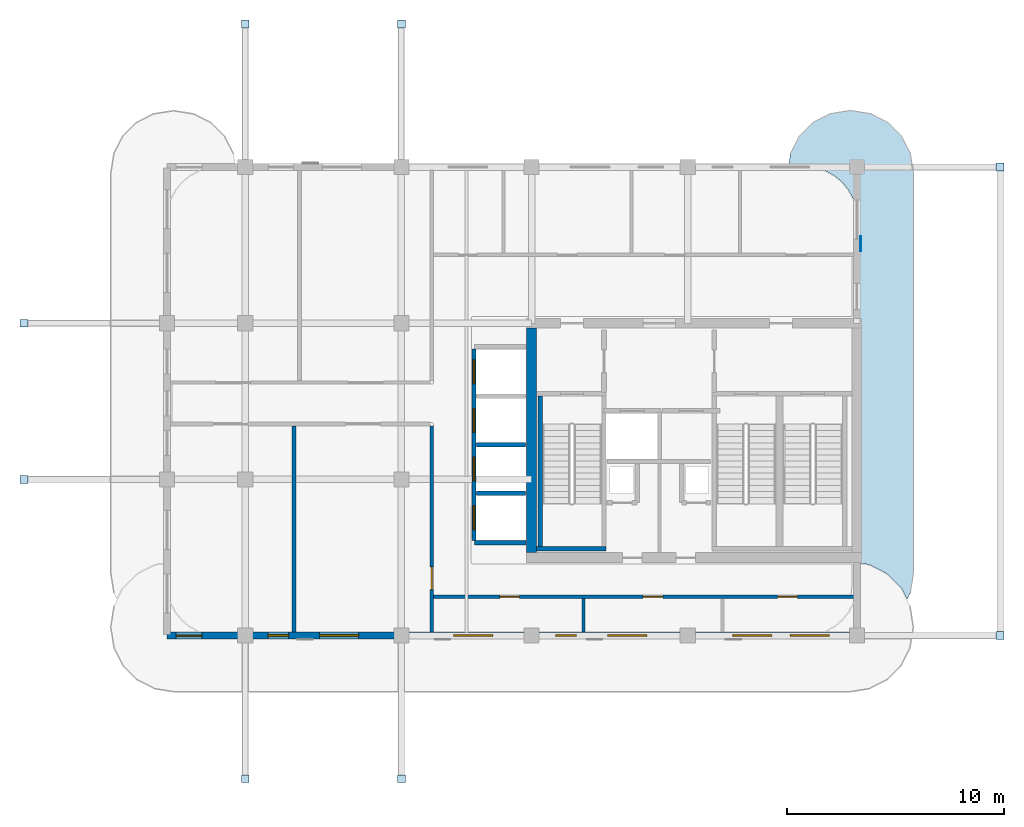
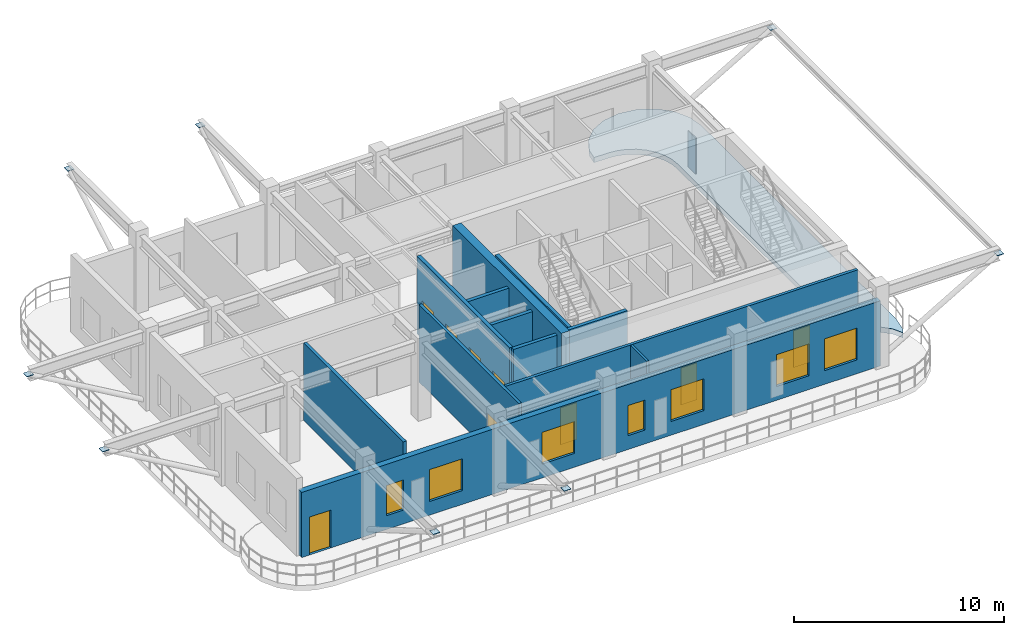
# One storey, part 2 of 8: 12 walls, 9 doors, 9 plates, 7 windows, 1 slab, 16 openings.
"""IFC4 building model written with IfcOpenShell, lengths in metres."""

from ifc_helpers import new_model, si_unit, derived_unit, direction, frame, frame_2d, origin, origin_2d, place, context, subcontext, project, spatial, polyline, rectangle, outline, extrude, source, transform, mapped, material, layer, layer_set, type_object, type_shapes, element, fill, save


model = new_model("IFC4")

# Units and contexts
model_context = context("Model", 3, precision=1e-05, world=origin(), true_north=direction((0.0, 1.0)))
body_context = subcontext(model_context, "Body", "Model", "MODEL_VIEW")
ifc_project = project(units=[si_unit("LENGTHUNIT", "METRE"), si_unit("AREAUNIT", "SQUARE_METRE"), si_unit("VOLUMEUNIT", "CUBIC_METRE"), si_unit("PLANEANGLEUNIT", "RADIAN"), si_unit("MASSUNIT", "GRAM", prefix="KILO"), si_unit("THERMODYNAMICTEMPERATUREUNIT", "KELVIN"), si_unit("POWERUNIT", "WATT"), derived_unit("THERMALTRANSMITTANCEUNIT", [(si_unit("POWERUNIT", "WATT"), 1), (si_unit("AREAUNIT", "SQUARE_METRE"), -1), (si_unit("THERMODYNAMICTEMPERATUREUNIT", "KELVIN"), -1)])], contexts=[model_context])

# Site, building, storey
site_placement = place(None, origin())
site = spatial("IfcSite", under=ifc_project, at=site_placement, CompositionType="ELEMENT")
building_placement = place(site_placement, origin())
building = spatial("IfcBuilding", under=site, at=building_placement, Name="Zahravan Archway Hotel and Residences", CompositionType="ELEMENT")
storey_placement = place(building_placement, frame((0.0, 0.0, 294.300048828125)))
storey = spatial("IfcBuildingStorey", under=building, at=storey_placement, Name="L74", CompositionType="ELEMENT", Elevation=294.300048828125)

# Slab
ifc_material_1 = material(Name="Concrete C50/60", Category="concrete")
ifc_layer_1 = layer(ifc_material_1, 0.300048828125, Name="Concrete C50/60", Category="concrete")
ifc_layer_set_1 = layer_set([ifc_layer_1], Name="Concrete C50/60")
slab_type = type_object("IfcSlabType", Name="SLB-FLR-300", PredefinedType="FLOOR", material=ifc_layer_set_1)
slab_placement = place(storey_placement, frame((0.0, 0.0, -0.300048828125)))
element("IfcSlab", 1, at=slab_placement, inside=storey, type_object=slab_type, Name="L74 Wing A East Rounded Balcony Band", PredefinedType="FLOOR", context=body_context, shape_type="SweptSolid", body=[
    extrude(outline(polyline([(46.739501953125, 22.230712890625), (47.144287109375, 23.025146484375), (47.77490234375, 23.65576171875), (48.5693359375, 24.060546875), (49.449951171875, 24.199951171875), (49.550048828125, 24.199951171875), (50.4306640625, 24.060546875), (51.22509765625, 23.65576171875), (51.855712890625, 23.025146484375), (52.260498046875, 22.230712890625), (52.39990234375, 21.35009765625), (52.39990234375, 2.85009765625), (52.260498046875, 1.96923828125), (52.114501953125, 1.6826171875), (51.8544921875, 2.193115234375), (51.853515625, 2.19482421875), (51.85205078125, 2.196533203125), (51.8505859375, 2.197998046875), (51.197998046875, 2.8505859375), (51.196533203125, 2.85205078125), (51.19482421875, 2.853515625), (51.193115234375, 2.8544921875), (50.37060546875, 3.2734375), (50.368896484375, 3.2744140625), (50.36669921875, 3.27490234375), (50.36474609375, 3.275390625), (49.822998046875, 3.361083984375), (49.8212890625, 3.361328125), (49.820068359375, 3.361328125), (49.820068359375, 19.199951171875), (49.81982421875, 19.201904296875), (49.773681640625, 19.670166015625), (49.7734375, 19.672119140625), (49.77294921875, 19.674072265625), (49.636474609375, 20.124267578125), (49.6357421875, 20.126220703125), (49.635009765625, 20.127685546875), (49.4130859375, 20.542724609375), (49.412109375, 20.54443359375), (49.410888671875, 20.546142578125), (49.112548828125, 20.909912109375), (49.111083984375, 20.9111328125), (49.10986328125, 20.91259765625), (48.74609375, 21.2109375), (48.744384765625, 21.212158203125), (48.742919921875, 21.213134765625), (48.327880859375, 21.434814453125), (48.326171875, 21.435791015625), (48.32421875, 21.436279296875), (47.8740234375, 21.572998046875), (47.8720703125, 21.573486328125), (47.8701171875, 21.57373046875), (47.402099609375, 21.619873046875), (47.39990234375, 21.6201171875), (46.642822265625, 21.6201171875), (46.739501953125, 22.230712890625)])), origin(), (0.0, 0.0, 1.0), 0.300048828125),
])

# Plates
ifc_material_2 = material(Name="Structural Steel S355J2", Category="steel")
ifc_layer_2 = layer(ifc_material_2, 0.02490234375, Name="Structural Steel S355J2", Category="steel")
ifc_layer_set_2 = layer_set([ifc_layer_2], Name="Structural Steel S355J2")
plate_type_1 = type_object("IfcPlateType", Name="PLT-CAP-ECP1", PredefinedType="SHEET", material=ifc_layer_set_2)
shared_shape_1 = source(origin(), body_context, "Body", "SweptSolid", [
    extrude(rectangle(XDim=0.360107421875, YDim=0.360107421875, at=origin_2d()), origin(), (0.0, 0.0, 1.0), 0.02490234375),
])
type_shapes(plate_type_1, [shared_shape_1])
for number, where, z_axis, x_axis, name in (
    (2, (11.39990234375, 7.199951171875, 4.137451171875), (0.0, 0.0, 1.0), (1.0, 0.0, 0.0), "Wing A Chhajja Hollow Strut End Cap W1"),
    (3, (11.39990234375, 14.39990234375, 4.137451171875), (0.0, 0.0, 1.0), (1.0, 0.0, 0.0), "Wing A Chhajja Hollow Strut End Cap W2"),
    (4, (21.60009765625, -6.60009765625, 4.137451171875), (0.0, 0.0, 1.0), (1.0, 0.0, 0.0), "Wing A Chhajja Hollow Strut End Cap S1"),
    (5, (28.800048828125, -6.60009765625, 4.137451171875), (0.0, 0.0, 1.0), (1.0, 0.0, 0.0), "Wing A Chhajja Hollow Strut End Cap S2"),
    (6, (21.60009765625, 28.199951171875, 4.137451171875), (0.0, 0.0, 1.0), (1.0, 0.0, 0.0), "Wing A Chhajja Hollow Strut End Cap N1"),
    (7, (28.800048828125, 28.199951171875, 4.137451171875), (0.0, 0.0, 1.0), (1.0, 0.0, 0.0), "Wing A Chhajja Hollow Strut End Cap N2"),
    (8, (56.39990234375, 21.60009765625, 4.137451171875), (0.0, 0.0, 1.0), (1.0, 0.0, 0.0), "Wing A Chhajja Hollow Strut End Cap E1"),
    (9, (56.39990234375, 0.0, 4.137451171875), (0.0, 0.0, 1.0), (1.0, 0.0, 0.0), "Wing A Chhajja Hollow Strut End Cap E2"),
):
    element("IfcPlate", number, at=place(storey_placement, frame(where, z_axis=z_axis, x_axis=x_axis)), inside=storey, type_object=plate_type_1, Name=name, PredefinedType="SHEET", context=body_context, shape_type="MappedRepresentation", body=[
        mapped(shared_shape_1, transform((0.0, 0.0, 0.0), scale=1.0)),
    ])
ifc_material_3 = material(Name="Perforated Cast Bronze Jali Lattice")
ifc_layer_3 = layer(ifc_material_3, 0.044921875, Name="Perforated Cast Bronze Jali Lattice")
ifc_layer_set_3 = layer_set([ifc_layer_3], Name="Perforated Cast Bronze Jali Lattice")
plate_type_2 = type_object("IfcPlateType", Name="PLT-JALI-BAY", PredefinedType="USERDEFINED", material=ifc_layer_set_3)
shared_shape_2 = source(origin(), body_context, "Body", "SweptSolid", [
    extrude(rectangle(XDim=0.699951171875, YDim=0.044921875, at=origin_2d()), origin(), (0.0, 0.0, 1.0), 2.10009765625),
])
type_shapes(plate_type_2, [shared_shape_2])
plate_placement = place(storey_placement, frame((49.97802734375, 18.05908203125, 0.25), z_axis=(0.0, 0.0, 1.0), x_axis=(0.0, 1.0, 0.0)))
element("IfcPlate", 10, at=plate_placement, inside=storey, type_object=plate_type_2, Name="L74 Perforated Bronze Jali Pier Screen 05", ObjectType="SCREEN", PredefinedType="USERDEFINED", context=body_context, shape_type="MappedRepresentation", body=[
    mapped(shared_shape_2, transform((0.0, 0.0, 0.0), scale=1.0)),
])

# Wall
ifc_layer_4 = layer(ifc_material_1, 0.449951171875, Name="Concrete C50/60", Category="concrete")
ifc_layer_set_4 = layer_set([ifc_layer_4], Name="Concrete C50/60")
wall_type_1 = type_object("IfcWallType", Name="CW-CORE-450", PredefinedType="SHEAR", material=ifc_layer_set_4)
wall_1_placement = place(storey_placement, frame((34.800048828125, 3.824951171875, 0.0), z_axis=(0.0, 0.0, 1.0), x_axis=(0.0, 1.0, 0.0)))
element("IfcWall", 11, at=wall_1_placement, inside=storey, type_object=wall_type_1, Name="L74 Core A Shear W Wall 450 mm", PredefinedType="SHEAR", context=body_context, shape_type="SweptSolid", body=[
    extrude(rectangle(XDim=10.35009765625, YDim=0.449951171875, at=frame_2d((5.175048828125, 0.0))), origin(), (0.0, 0.0, 1.0), 4.800048828125),
])

# Wall, openings, door, windows
ifc_material_4 = material(Name="Agra Buff Sandstone & Insulated Backup", Category="masonry")
ifc_layer_5 = layer(ifc_material_4, 0.320068359375, Name="Agra Buff Sandstone & Insulated Backup", Category="masonry")
ifc_layer_set_5 = layer_set([ifc_layer_5], Name="Agra Buff Sandstone & Insulated Backup")
wall_type_2 = type_object("IfcWallType", Name="EW-SAND-320", PredefinedType="SOLIDWALL", material=ifc_layer_set_5)
wall_2_placement = place(storey_placement, frame((18.0, 0.0, 0.0), z_axis=(0.0, 0.0, 1.0), x_axis=(1.0, 0.0, 0.0)))
wall_2 = element("IfcWall", 12, at=wall_2_placement, inside=storey, type_object=wall_type_2, Name="L74 Exterior Sandstone Wall WA-S", PredefinedType="SOLIDWALL", context=body_context, shape_type="SweptSolid", body=[
    extrude(rectangle(XDim=31.800048828125, YDim=0.320068359375, at=frame_2d((15.89990234375, 0.0))), origin(), (0.0, 0.0, 1.0), 3.784912109375),
])
opening_1_placement = place(wall_2_placement, frame((0.419921875, 0.0, 0.0)))
opening_1 = element("IfcOpeningElement", 13, at=opening_1_placement, cuts=wall_2, Name="Opening ED-BL1", PredefinedType="OPENING", context=body_context, shape_type="SweptSolid", body=[
    extrude(rectangle(XDim=1.199951171875, YDim=2.199951171875, at=frame_2d((0.60009765625, 1.10009765625))), frame((0.0, 0.169921875, 0.0), z_axis=(0.0, -1.0, 0.0), x_axis=(1.0, 0.0, 0.0)), (0.0, 0.0, 1.0), 0.340087890625),
])
opening_2_placement = place(wall_2_placement, frame((4.64892578125, 0.0, 0.800048828125)))
opening_2 = element("IfcOpeningElement", 14, at=opening_2_placement, cuts=wall_2, Name="Opening W-04", PredefinedType="OPENING", context=body_context, shape_type="SweptSolid", body=[
    extrude(rectangle(XDim=0.949951171875, YDim=1.75, at=frame_2d((0.47509765625, 0.875))), frame((0.0, 0.169921875, 0.0), z_axis=(0.0, -1.0, 0.0), x_axis=(1.0, 0.0, 0.0)), (0.0, 0.0, 1.0), 0.340087890625),
])
opening_3_placement = place(wall_2_placement, frame((7.031982421875, 0.0, 0.800048828125)))
opening_3 = element("IfcOpeningElement", 15, at=opening_3_placement, cuts=wall_2, Name="Opening W-02", PredefinedType="OPENING", context=body_context, shape_type="SweptSolid", body=[
    extrude(rectangle(XDim=1.800048828125, YDim=1.85009765625, at=frame_2d((0.89990234375, 0.925048828125))), frame((0.0, 0.169921875, 0.0), z_axis=(0.0, -1.0, 0.0), x_axis=(1.0, 0.0, 0.0)), (0.0, 0.0, 1.0), 0.340087890625),
])
opening_4_placement = place(wall_2_placement, frame((13.2041015625, 0.0, 0.800048828125)))
opening_4 = element("IfcOpeningElement", 16, at=opening_4_placement, cuts=wall_2, Name="Opening W-02", PredefinedType="OPENING", context=body_context, shape_type="SweptSolid", body=[
    extrude(rectangle(XDim=1.800048828125, YDim=1.85009765625, at=frame_2d((0.89990234375, 0.925048828125))), frame((0.0, 0.169921875, 0.0), z_axis=(0.0, -1.0, 0.0), x_axis=(1.0, 0.0, 0.0)), (0.0, 0.0, 1.0), 0.340087890625),
])
opening_5_placement = place(wall_2_placement, frame((17.9208984375, 0.0, 0.800048828125)))
opening_5 = element("IfcOpeningElement", 17, at=opening_5_placement, cuts=wall_2, Name="Opening W-04", PredefinedType="OPENING", context=body_context, shape_type="SweptSolid", body=[
    extrude(rectangle(XDim=0.949951171875, YDim=1.75, at=frame_2d((0.47509765625, 0.875))), frame((0.0, 0.169921875, 0.0), z_axis=(0.0, -1.0, 0.0), x_axis=(1.0, 0.0, 0.0)), (0.0, 0.0, 1.0), 0.340087890625),
])
opening_6_placement = place(wall_2_placement, frame((20.303955078125, 0.0, 0.800048828125)))
opening_6 = element("IfcOpeningElement", 18, at=opening_6_placement, cuts=wall_2, Name="Opening W-02", PredefinedType="OPENING", context=body_context, shape_type="SweptSolid", body=[
    extrude(rectangle(XDim=1.800048828125, YDim=1.85009765625, at=frame_2d((0.89990234375, 0.925048828125))), frame((0.0, 0.169921875, 0.0), z_axis=(0.0, -1.0, 0.0), x_axis=(1.0, 0.0, 0.0)), (0.0, 0.0, 1.0), 0.340087890625),
])
opening_7_placement = place(wall_2_placement, frame((26.0810546875, 0.0, 0.800048828125)))
opening_7 = element("IfcOpeningElement", 19, at=opening_7_placement, cuts=wall_2, Name="Opening W-02", PredefinedType="OPENING", context=body_context, shape_type="SweptSolid", body=[
    extrude(rectangle(XDim=1.800048828125, YDim=1.85009765625, at=frame_2d((0.89990234375, 0.925048828125))), frame((0.0, 0.169921875, 0.0), z_axis=(0.0, -1.0, 0.0), x_axis=(1.0, 0.0, 0.0)), (0.0, 0.0, 1.0), 0.340087890625),
])
opening_8_placement = place(wall_2_placement, frame((28.72705078125, 0.0, 0.800048828125)))
opening_8 = element("IfcOpeningElement", 20, at=opening_8_placement, cuts=wall_2, Name="Opening W-02", PredefinedType="OPENING", context=body_context, shape_type="SweptSolid", body=[
    extrude(rectangle(XDim=1.800048828125, YDim=1.85009765625, at=frame_2d((0.89990234375, 0.925048828125))), frame((0.0, 0.169921875, 0.0), z_axis=(0.0, -1.0, 0.0), x_axis=(1.0, 0.0, 0.0)), (0.0, 0.0, 1.0), 0.340087890625),
])
ifc_material_5 = material(Name="Bronze-Anodized Glazed Aluminium", Category="aluminium")
door_type_1 = type_object("IfcDoorType", Name="ED-BALC-1200", OperationType="SLIDING_TO_LEFT", PredefinedType="DOOR", material=ifc_material_5)
shared_shape_3 = source(origin(), body_context, "Body", "SweptSolid", [
    extrude(rectangle(XDim=1.199951171875, YDim=2.199951171875, at=frame_2d((0.60009765625, 1.10009765625))), frame((0.0, 0.02490234375, 0.0), z_axis=(0.0, -1.0, 0.0), x_axis=(1.0, 0.0, 0.0)), (0.0, 0.0, 1.0), 0.050048828125),
])
type_shapes(door_type_1, [shared_shape_3])
door_1_placement = place(opening_1_placement, origin())
door_1 = element("IfcDoor", 21, at=door_1_placement, inside=storey, type_object=door_type_1, Name="L74 Outdoor Access Sliding Door (SLB-BAL-L74-SA)", OperationType="SLIDING_TO_LEFT", OverallHeight=2.199951171875, OverallWidth=1.199951171875, PredefinedType="DOOR", context=body_context, shape_type="MappedRepresentation", body=[
    mapped(shared_shape_3, transform((0.0, 0.0, 0.0), scale=1.0)),
])
fill(opening_1, door_1)
ifc_material_6 = material(Name="Bronze-Anodized Thermal-Break Aluminium & Low-E Glass", Category="aluminium")
window_type_1 = type_object("IfcWindowType", Name="WIN-NAR-950", PartitioningType="SINGLE_PANEL", PredefinedType="WINDOW", material=ifc_material_6)
shared_shape_4 = source(origin(), body_context, "Body", "SweptSolid", [
    extrude(rectangle(XDim=0.949951171875, YDim=1.75, at=frame_2d((0.47509765625, 0.875))), frame((0.0, 0.030029296875, 0.0), z_axis=(0.0, -1.0, 0.0), x_axis=(1.0, 0.0, 0.0)), (0.0, 0.0, 1.0), 0.06005859375),
])
type_shapes(window_type_1, [shared_shape_4])
window_1_placement = place(opening_2_placement, origin())
window_1 = element("IfcWindow", 22, at=window_1_placement, inside=storey, type_object=window_type_1, Name="L74 Loggia Window 01", OverallHeight=1.75, OverallWidth=0.949951171875, PartitioningType="SINGLE_PANEL", PredefinedType="WINDOW", context=body_context, shape_type="MappedRepresentation", body=[
    mapped(shared_shape_4, transform((0.0, 0.0, 0.0), scale=1.0)),
])
fill(opening_2, window_1)
window_2_placement = place(opening_5_placement, origin())
window_2 = element("IfcWindow", 23, at=window_2_placement, inside=storey, type_object=window_type_1, Name="L74 Loggia Window 04", OverallHeight=1.75, OverallWidth=0.949951171875, PartitioningType="SINGLE_PANEL", PredefinedType="WINDOW", context=body_context, shape_type="MappedRepresentation", body=[
    mapped(shared_shape_4, transform((0.0, 0.0, 0.0), scale=1.0)),
])
fill(opening_5, window_2)
window_type_2 = type_object("IfcWindowType", Name="WIN-TWR-1800", PartitioningType="DOUBLE_PANEL_VERTICAL", PredefinedType="WINDOW", material=ifc_material_6)
shared_shape_5 = source(origin(), body_context, "Body", "SweptSolid", [
    extrude(rectangle(XDim=1.800048828125, YDim=1.85009765625, at=frame_2d((0.89990234375, 0.925048828125))), frame((0.0, 0.030029296875, 0.0), z_axis=(0.0, -1.0, 0.0), x_axis=(1.0, 0.0, 0.0)), (0.0, 0.0, 1.0), 0.06005859375),
])
type_shapes(window_type_2, [shared_shape_5])
window_3_placement = place(opening_3_placement, origin())
window_3 = element("IfcWindow", 24, at=window_3_placement, inside=storey, type_object=window_type_2, Name="L74 Loggia Window 02", OverallHeight=1.85009765625, OverallWidth=1.800048828125, PartitioningType="DOUBLE_PANEL_VERTICAL", PredefinedType="WINDOW", context=body_context, shape_type="MappedRepresentation", body=[
    mapped(shared_shape_5, transform((0.0, 0.0, 0.0), scale=1.0)),
])
fill(opening_3, window_3)
window_4_placement = place(opening_4_placement, origin())
window_4 = element("IfcWindow", 25, at=window_4_placement, inside=storey, type_object=window_type_2, Name="L74 Loggia Window 03", OverallHeight=1.85009765625, OverallWidth=1.800048828125, PartitioningType="DOUBLE_PANEL_VERTICAL", PredefinedType="WINDOW", context=body_context, shape_type="MappedRepresentation", body=[
    mapped(shared_shape_5, transform((0.0, 0.0, 0.0), scale=1.0)),
])
fill(opening_4, window_4)
window_5_placement = place(opening_6_placement, origin())
window_5 = element("IfcWindow", 26, at=window_5_placement, inside=storey, type_object=window_type_2, Name="L74 Loggia Window 05", OverallHeight=1.85009765625, OverallWidth=1.800048828125, PartitioningType="DOUBLE_PANEL_VERTICAL", PredefinedType="WINDOW", context=body_context, shape_type="MappedRepresentation", body=[
    mapped(shared_shape_5, transform((0.0, 0.0, 0.0), scale=1.0)),
])
fill(opening_6, window_5)
window_6_placement = place(opening_7_placement, origin())
window_6 = element("IfcWindow", 27, at=window_6_placement, inside=storey, type_object=window_type_2, Name="L74 Loggia Window 06", OverallHeight=1.85009765625, OverallWidth=1.800048828125, PartitioningType="DOUBLE_PANEL_VERTICAL", PredefinedType="WINDOW", context=body_context, shape_type="MappedRepresentation", body=[
    mapped(shared_shape_5, transform((0.0, 0.0, 0.0), scale=1.0)),
])
fill(opening_7, window_6)
window_7_placement = place(opening_8_placement, origin())
window_7 = element("IfcWindow", 28, at=window_7_placement, inside=storey, type_object=window_type_2, Name="L74 Loggia Window 07", OverallHeight=1.85009765625, OverallWidth=1.800048828125, PartitioningType="DOUBLE_PANEL_VERTICAL", PredefinedType="WINDOW", context=body_context, shape_type="MappedRepresentation", body=[
    mapped(shared_shape_5, transform((0.0, 0.0, 0.0), scale=1.0)),
])
fill(opening_8, window_7)

# Wall, opening, door
ifc_material_7 = material(Name="Fire-Rated Gypsum & Concrete Block", Category="concrete")
ifc_layer_6 = layer(ifc_material_7, 0.159912109375, Name="Fire-Rated Gypsum & Concrete Block", Category="concrete")
ifc_layer_set_6 = layer_set([ifc_layer_6], Name="Fire-Rated Gypsum & Concrete Block")
wall_type_3 = type_object("IfcWallType", Name="PW-CORR-160", PredefinedType="PARTITIONING", material=ifc_layer_set_6)
wall_3_placement = place(storey_placement, frame((30.199951171875, 0.16796875, 0.0), z_axis=(0.0, 0.0, 1.0), x_axis=(0.0, 1.0, 0.0)))
wall_3 = element("IfcWall", 29, at=wall_3_placement, inside=storey, type_object=wall_type_3, Name="L74 Partition WA-SRW", PredefinedType="PARTITIONING", context=body_context, shape_type="SweptSolid", body=[
    extrude(rectangle(XDim=9.491943359375, YDim=0.159912109375, at=frame_2d((4.74609375, 0.0))), origin(), (0.0, 0.0, 1.0), 4.5),
])
opening_9_placement = place(wall_3_placement, frame((1.95703125, 0.0, 0.0)))
opening_9 = element("IfcOpeningElement", 30, at=opening_9_placement, cuts=wall_3, Name="Opening FD-L2", PredefinedType="OPENING", context=body_context, shape_type="SweptSolid", body=[
    extrude(rectangle(XDim=1.050048828125, YDim=2.14990234375, at=frame_2d((0.52490234375, 1.074951171875))), frame((0.0, 0.08984375, 0.0), z_axis=(0.0, -1.0, 0.0), x_axis=(1.0, 0.0, 0.0)), (0.0, 0.0, 1.0), 0.179931640625),
])
ifc_material_8 = material(Name="Fire-Rated Painted Steel", Category="steel")
door_type_2 = type_object("IfcDoorType", Name="FD-LOBBY-1100", OperationType="NOTDEFINED", PredefinedType="DOOR", material=ifc_material_8)
shared_shape_6 = source(origin(), body_context, "Body", "SweptSolid", [
    extrude(rectangle(XDim=1.050048828125, YDim=2.14990234375, at=frame_2d((0.52490234375, 1.074951171875))), frame((0.0, 0.02490234375, 0.0), z_axis=(0.0, -1.0, 0.0), x_axis=(1.0, 0.0, 0.0)), (0.0, 0.0, 1.0), 0.050048828125),
])
type_shapes(door_type_2, [shared_shape_6])
door_2_placement = place(opening_9_placement, origin())
door_2 = element("IfcDoor", 31, at=door_2_placement, inside=storey, type_object=door_type_2, Name="L74 South Riser Corridor Door", OperationType="SINGLE_SWING_LEFT", OverallHeight=2.14990234375, OverallWidth=1.050048828125, PredefinedType="DOOR", context=body_context, shape_type="MappedRepresentation", body=[
    mapped(shared_shape_6, transform((0.0, 0.0, 0.0), scale=1.0)),
])
fill(opening_9, door_2)

# Wall, openings, doors
wall_4_placement = place(storey_placement, frame((30.2900390625, 1.800048828125, 0.0), z_axis=(0.0, 0.0, 1.0), x_axis=(1.0, 0.0, 0.0)))
wall_4 = element("IfcWall", 32, at=wall_4_placement, inside=storey, type_object=wall_type_3, Name="L74 Partition WA-SRS", PredefinedType="PARTITIONING", context=body_context, shape_type="SweptSolid", body=[
    extrude(rectangle(XDim=19.369873046875, YDim=0.159912109375, at=frame_2d((9.68505859375, 0.0))), origin(), (0.0, 0.0, 1.0), 4.5),
])
opening_10_placement = place(wall_4_placement, frame((3.0537109375, 0.0, 0.0)))
opening_10 = element("IfcOpeningElement", 33, at=opening_10_placement, cuts=wall_4, Name="Opening D-I2", PredefinedType="OPENING", context=body_context, shape_type="SweptSolid", body=[
    extrude(rectangle(XDim=0.89990234375, YDim=2.14990234375, at=frame_2d((0.449951171875, 1.074951171875))), frame((0.0, 0.08984375, 0.0), z_axis=(0.0, -1.0, 0.0), x_axis=(1.0, 0.0, 0.0)), (0.0, 0.0, 1.0), 0.179931640625),
])
opening_11_placement = place(wall_4_placement, frame((9.659912109375, 0.0, 0.0)))
opening_11 = element("IfcOpeningElement", 34, at=opening_11_placement, cuts=wall_4, Name="Opening D-I2", PredefinedType="OPENING", context=body_context, shape_type="SweptSolid", body=[
    extrude(rectangle(XDim=0.89990234375, YDim=2.14990234375, at=frame_2d((0.449951171875, 1.074951171875))), frame((0.0, 0.08984375, 0.0), z_axis=(0.0, -1.0, 0.0), x_axis=(1.0, 0.0, 0.0)), (0.0, 0.0, 1.0), 0.179931640625),
])
opening_12_placement = place(wall_4_placement, frame((15.860107421875, 0.0, 0.0)))
opening_12 = element("IfcOpeningElement", 35, at=opening_12_placement, cuts=wall_4, Name="Opening D-I2", PredefinedType="OPENING", context=body_context, shape_type="SweptSolid", body=[
    extrude(rectangle(XDim=0.89990234375, YDim=2.14990234375, at=frame_2d((0.449951171875, 1.074951171875))), frame((0.0, 0.08984375, 0.0), z_axis=(0.0, -1.0, 0.0), x_axis=(1.0, 0.0, 0.0)), (0.0, 0.0, 1.0), 0.179931640625),
])
ifc_material_9 = material(Name="Hardwood Veneer Timber", Category="wood")
door_type_3 = type_object("IfcDoorType", Name="ID-INT-900", OperationType="NOTDEFINED", PredefinedType="DOOR", material=ifc_material_9)
shared_shape_7 = source(origin(), body_context, "Body", "SweptSolid", [
    extrude(rectangle(XDim=0.89990234375, YDim=2.14990234375, at=frame_2d((0.449951171875, 1.074951171875))), frame((0.0, 0.02490234375, 0.0), z_axis=(0.0, -1.0, 0.0), x_axis=(1.0, 0.0, 0.0)), (0.0, 0.0, 1.0), 0.050048828125),
])
type_shapes(door_type_3, [shared_shape_7])
door_3_placement = place(opening_10_placement, origin())
door_3 = element("IfcDoor", 36, at=door_3_placement, inside=storey, type_object=door_type_3, Name="L74 South Office Door", OperationType="SINGLE_SWING_RIGHT", OverallHeight=2.14990234375, OverallWidth=0.89990234375, PredefinedType="DOOR", context=body_context, shape_type="MappedRepresentation", body=[
    mapped(shared_shape_7, transform((0.0, 0.0, 0.0), scale=1.0)),
])
fill(opening_10, door_3)
door_4_placement = place(opening_11_placement, origin())
door_4 = element("IfcDoor", 37, at=door_4_placement, inside=storey, type_object=door_type_3, Name="L74 South Meeting Door", OperationType="SINGLE_SWING_LEFT", OverallHeight=2.14990234375, OverallWidth=0.89990234375, PredefinedType="DOOR", context=body_context, shape_type="MappedRepresentation", body=[
    mapped(shared_shape_7, transform((0.0, 0.0, 0.0), scale=1.0)),
])
fill(opening_11, door_4)
door_5_placement = place(opening_12_placement, origin())
door_5 = element("IfcDoor", 38, at=door_5_placement, inside=storey, type_object=door_type_3, Name="L74 South Prayer Alcove Door", OperationType="SINGLE_SWING_RIGHT", OverallHeight=2.14990234375, OverallWidth=0.89990234375, PredefinedType="DOOR", context=body_context, shape_type="MappedRepresentation", body=[
    mapped(shared_shape_7, transform((0.0, 0.0, 0.0), scale=1.0)),
])
fill(opening_12, door_5)

# Walls
ifc_layer_7 = layer(ifc_material_7, 0.179931640625, Name="Fire-Rated Gypsum & Concrete Block", Category="concrete")
ifc_layer_set_7 = layer_set([ifc_layer_7], Name="Fire-Rated Gypsum & Concrete Block")
wall_type_4 = type_object("IfcWallType", Name="PW-CORR-180", PredefinedType="PARTITIONING", material=ifc_layer_set_7)
wall_5_placement = place(storey_placement, frame((23.85595703125, 0.16796875, 0.0), z_axis=(0.0, 0.0, 1.0), x_axis=(0.0, 1.0, 0.0)))
element("IfcWall", 39, at=wall_5_placement, inside=storey, type_object=wall_type_4, Name="L74 Partition WAS-OB74", PredefinedType="PARTITIONING", context=body_context, shape_type="SweptSolid", body=[
    extrude(rectangle(XDim=9.491943359375, YDim=0.179931640625, at=frame_2d((4.74609375, 0.0))), origin(), (0.0, 0.0, 1.0), 4.5),
])
ifc_material_10 = material(Name="Acoustic Stud Partition")
ifc_layer_8 = layer(ifc_material_10, 0.125, Name="Acoustic Stud Partition")
ifc_layer_set_8 = layer_set([ifc_layer_8], Name="Acoustic Stud Partition")
wall_type_5 = type_object("IfcWallType", Name="PW-INT-125", PredefinedType="PARTITIONING", material=ifc_layer_set_8)
wall_6_placement = place(storey_placement, frame((37.199951171875, 0.16796875, 0.0), z_axis=(0.0, 0.0, 1.0), x_axis=(0.0, 1.0, 0.0)))
element("IfcWall", 40, at=wall_6_placement, inside=storey, type_object=wall_type_5, Name="L74 Partition S-DIV2A", PredefinedType="PARTITIONING", context=body_context, shape_type="SweptSolid", body=[
    extrude(rectangle(XDim=1.5419921875, YDim=0.125, at=frame_2d((0.77099609375, 0.0))), origin(), (0.0, 0.0, 1.0), 4.5),
])
ifc_layer_9 = layer(ifc_material_7, 0.199951171875, Name="Fire-Rated Gypsum & Concrete Block", Category="concrete")
ifc_layer_set_9 = layer_set([ifc_layer_9], Name="Fire-Rated Gypsum & Concrete Block")
wall_type_6 = type_object("IfcWallType", Name="PW-SHAFT-200", PredefinedType="PARTITIONING", material=ifc_layer_set_9)
wall_7_placement = place(storey_placement, frame((32.159912109375, 4.280029296875, 0.0), z_axis=(0.0, 0.0, 1.0), x_axis=(1.0, 0.0, 0.0)))
element("IfcWall", 41, at=wall_7_placement, inside=storey, type_object=wall_type_6, Name="L74 Partition B3-S", PredefinedType="PARTITIONING", context=body_context, shape_type="SweptSolid", body=[
    extrude(rectangle(XDim=2.385009765625, YDim=0.199951171875, at=frame_2d((1.1923828125, 0.0))), origin(), (0.0, 0.0, 1.0), 4.5),
])

# Wall, openings, doors
wall_8_placement = place(storey_placement, frame((32.14990234375, 4.389892578125, 0.0), z_axis=(0.0, 0.0, 1.0), x_axis=(0.0, 1.0, 0.0)))
wall_8 = element("IfcWall", 42, at=wall_8_placement, inside=storey, type_object=wall_type_6, Name="L74 Partition B3-W", PredefinedType="PARTITIONING", context=body_context, shape_type="SweptSolid", body=[
    extrude(rectangle(XDim=8.820068359375, YDim=0.199951171875, at=frame_2d((4.41015625, 0.0))), origin(), (0.0, 0.0, 1.0), 4.5),
])
opening_13_placement = place(wall_8_placement, frame((0.5, 0.0, 0.0)))
opening_13 = element("IfcOpeningElement", 43, at=opening_13_placement, cuts=wall_8, Name="Opening LD", PredefinedType="OPENING", context=body_context, shape_type="SweptSolid", body=[
    extrude(rectangle(XDim=1.10009765625, YDim=2.199951171875, at=frame_2d((0.550048828125, 1.10009765625))), frame((0.0, 0.10986328125, 0.0), z_axis=(0.0, -1.0, 0.0), x_axis=(1.0, 0.0, 0.0)), (0.0, 0.0, 1.0), 0.219970703125),
])
opening_14_placement = place(wall_8_placement, frame((2.739990234375, 0.0, 0.0)))
opening_14 = element("IfcOpeningElement", 44, at=opening_14_placement, cuts=wall_8, Name="Opening LD", PredefinedType="OPENING", context=body_context, shape_type="SweptSolid", body=[
    extrude(rectangle(XDim=1.10009765625, YDim=2.199951171875, at=frame_2d((0.550048828125, 1.10009765625))), frame((0.0, 0.10986328125, 0.0), z_axis=(0.0, -1.0, 0.0), x_axis=(1.0, 0.0, 0.0)), (0.0, 0.0, 1.0), 0.219970703125),
])
opening_15_placement = place(wall_8_placement, frame((4.97998046875, 0.0, 0.0)))
opening_15 = element("IfcOpeningElement", 45, at=opening_15_placement, cuts=wall_8, Name="Opening LD", PredefinedType="OPENING", context=body_context, shape_type="SweptSolid", body=[
    extrude(rectangle(XDim=1.10009765625, YDim=2.199951171875, at=frame_2d((0.550048828125, 1.10009765625))), frame((0.0, 0.10986328125, 0.0), z_axis=(0.0, -1.0, 0.0), x_axis=(1.0, 0.0, 0.0)), (0.0, 0.0, 1.0), 0.219970703125),
])
opening_16_placement = place(wall_8_placement, frame((7.219970703125, 0.0, 0.0)))
opening_16 = element("IfcOpeningElement", 46, at=opening_16_placement, cuts=wall_8, Name="Opening LD", PredefinedType="OPENING", context=body_context, shape_type="SweptSolid", body=[
    extrude(rectangle(XDim=1.10009765625, YDim=2.199951171875, at=frame_2d((0.550048828125, 1.10009765625))), frame((0.0, 0.10986328125, 0.0), z_axis=(0.0, -1.0, 0.0), x_axis=(1.0, 0.0, 0.0)), (0.0, 0.0, 1.0), 0.219970703125),
])
ifc_material_11 = material(Name="Brushed Stainless Steel", Category="steel")
door_type_4 = type_object("IfcDoorType", Name="DR-LIFT-LD", OperationType="SLIDING_TO_LEFT", PredefinedType="DOOR", material=ifc_material_11)
shared_shape_8 = source(origin(), body_context, "Body", "SweptSolid", [
    extrude(rectangle(XDim=1.10009765625, YDim=2.199951171875, at=frame_2d((0.550048828125, 1.10009765625))), frame((0.0, 0.02490234375, 0.0), z_axis=(0.0, -1.0, 0.0), x_axis=(1.0, 0.0, 0.0)), (0.0, 0.0, 1.0), 0.050048828125),
])
type_shapes(door_type_4, [shared_shape_8])
door_6_placement = place(opening_13_placement, origin())
door_6 = element("IfcDoor", 47, at=door_6_placement, inside=storey, type_object=door_type_4, Name="L74 Lift LP-7 Sliding Landing Door", OperationType="SLIDING_TO_LEFT", OverallHeight=2.199951171875, OverallWidth=1.10009765625, PredefinedType="DOOR", context=body_context, shape_type="MappedRepresentation", body=[
    mapped(shared_shape_8, transform((0.0, 0.0, 0.0), scale=1.0)),
])
fill(opening_13, door_6)
door_7_placement = place(opening_14_placement, origin())
door_7 = element("IfcDoor", 48, at=door_7_placement, inside=storey, type_object=door_type_4, Name="L74 Lift LP-8 Sliding Landing Door", OperationType="SLIDING_TO_LEFT", OverallHeight=2.199951171875, OverallWidth=1.10009765625, PredefinedType="DOOR", context=body_context, shape_type="MappedRepresentation", body=[
    mapped(shared_shape_8, transform((0.0, 0.0, 0.0), scale=1.0)),
])
fill(opening_14, door_7)
door_8_placement = place(opening_15_placement, origin())
door_8 = element("IfcDoor", 49, at=door_8_placement, inside=storey, type_object=door_type_4, Name="L74 Lift LP-9 Sliding Landing Door", OperationType="SLIDING_TO_LEFT", OverallHeight=2.199951171875, OverallWidth=1.10009765625, PredefinedType="DOOR", context=body_context, shape_type="MappedRepresentation", body=[
    mapped(shared_shape_8, transform((0.0, 0.0, 0.0), scale=1.0)),
])
fill(opening_15, door_8)
door_9_placement = place(opening_16_placement, origin())
door_9 = element("IfcDoor", 50, at=door_9_placement, inside=storey, type_object=door_type_4, Name="L74 Lift LP-10 Sliding Landing Door", OperationType="SLIDING_TO_LEFT", OverallHeight=2.199951171875, OverallWidth=1.10009765625, PredefinedType="DOOR", context=body_context, shape_type="MappedRepresentation", body=[
    mapped(shared_shape_8, transform((0.0, 0.0, 0.0), scale=1.0)),
])
fill(opening_16, door_9)

# Walls
for number, where, z_axis, x_axis, name in (
    (51, (32.260009765625, 6.56005859375, 0.0), (0.0, 0.0, 1.0), (1.0, 0.0, 0.0), "L74 Partition B3-D"),
    (52, (32.260009765625, 8.800048828125, 0.0), (0.0, 0.0, 1.0), (1.0, 0.0, 0.0), "L74 Partition B3-D"),
):
    element("IfcWall", number, at=place(storey_placement, frame(where, z_axis=z_axis, x_axis=x_axis)), inside=storey, type_object=wall_type_6, Name=name, PredefinedType="PARTITIONING", context=body_context, shape_type="SweptSolid", body=[
        extrude(rectangle(XDim=2.2548828125, YDim=0.199951171875, at=frame_2d((1.12744140625, 0.0))), origin(), (0.0, 0.0, 1.0), 4.5),
    ])
ifc_layer_10 = layer(ifc_material_1, 0.199951171875, Name="Concrete C50/60", Category="concrete")
ifc_layer_set_10 = layer_set([ifc_layer_10], Name="Concrete C50/60")
wall_type_7 = type_object("IfcWallType", Name="SW-STAIR-200", PredefinedType="SHEAR", material=ifc_layer_set_10)
wall_9_placement = place(storey_placement, frame((35.02490234375, 4.0, 0.0), z_axis=(0.0, 0.0, 1.0), x_axis=(1.0, 0.0, 0.0)))
element("IfcWall", 53, at=wall_9_placement, inside=storey, type_object=wall_type_7, Name="L74 Stairwell RC Wall CA-SA1S", PredefinedType="SHEAR", context=body_context, shape_type="SweptSolid", body=[
    extrude(rectangle(XDim=3.215087890625, YDim=0.199951171875, at=frame_2d((1.607421875, 0.0))), origin(), (0.0, 0.0, 1.0), 4.800048828125),
])
wall_10_placement = place(storey_placement, frame((35.199951171875, 4.10009765625, 0.0), z_axis=(0.0, 0.0, 1.0), x_axis=(0.0, 1.0, 0.0)))
element("IfcWall", 54, at=wall_10_placement, inside=storey, type_object=wall_type_7, Name="L74 Stairwell RC Wall CA-SA1W", PredefinedType="SHEAR", context=body_context, shape_type="SweptSolid", body=[
    extrude(rectangle(XDim=6.949951171875, YDim=0.199951171875, at=frame_2d((3.47509765625, 0.0))), origin(), (0.0, 0.0, 1.0), 4.800048828125),
])

save(model, "model.ifc")
